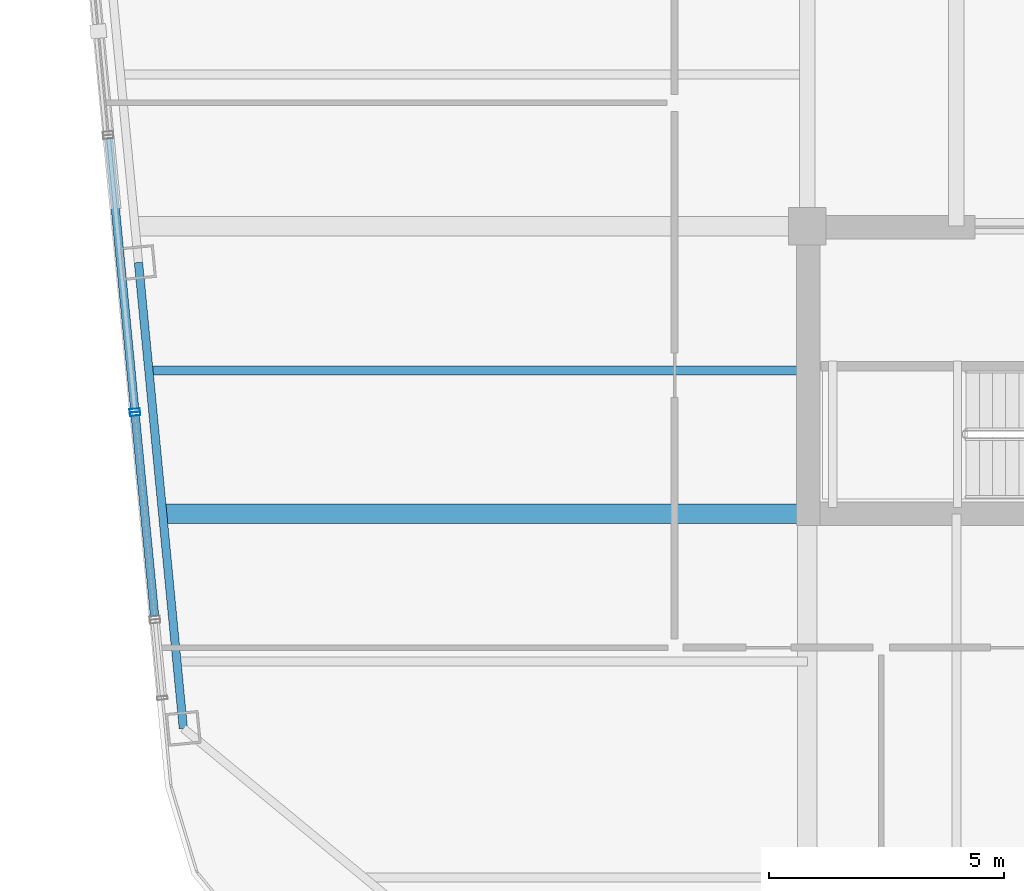
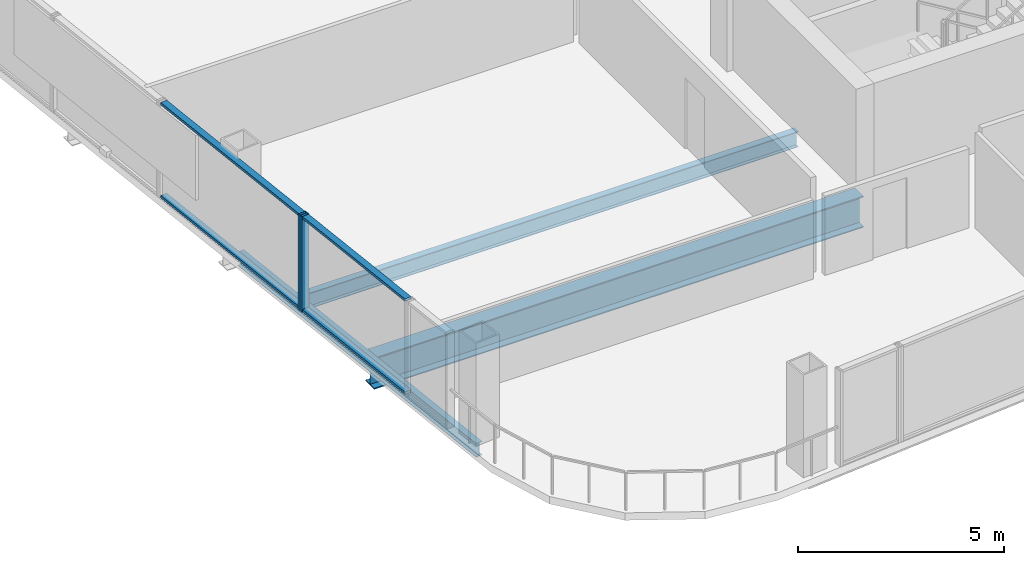
# One storey, part 3 of 22: 6 members, 3 beams, 2 elements without a shape of their own.
"""IFC4 building model written with IfcOpenShell, lengths in metres."""

from ifc_helpers import new_model, si_unit, direction, frame, origin, origin_2d, place, context, subcontext, project, spatial, hollow_rectangle, i_section, extrude, material, layer, layer_set, material_profile, profile_set, type_object, element, aggregate, save


model = new_model("IFC4")

# Units and contexts
model_context = context("Model", 3, precision=1e-05, world=origin(), true_north=direction((0.0, 1.0)))
body_context = subcontext(model_context, "Body", "Model", "MODEL_VIEW")
ifc_project = project(units=[si_unit("LENGTHUNIT", "METRE"), si_unit("AREAUNIT", "SQUARE_METRE"), si_unit("VOLUMEUNIT", "CUBIC_METRE"), si_unit("PLANEANGLEUNIT", "RADIAN"), si_unit("MASSUNIT", "GRAM", prefix="KILO")], contexts=[model_context])

# Site, building, storey
site_placement = place(None, origin())
site = spatial("IfcSite", under=ifc_project, at=site_placement, CompositionType="ELEMENT")
building_placement = place(site_placement, origin())
building = spatial("IfcBuilding", under=site, at=building_placement, Name="Qhalaya Broadcast Tower", CompositionType="ELEMENT")
storey_placement = place(building_placement, frame((0.0, 0.0, 171.39990234375)))
storey = spatial("IfcBuildingStorey", under=building, at=storey_placement, Name="L50", CompositionType="ELEMENT", Elevation=171.39990234375)

# Beams
ifc_material_1 = material(Name="Structural Steel ASTM A992 Grade 50", Category="steel")
ifc_material_profile_1 = material_profile(ifc_material_1, i_section(OverallWidth=0.19189453125, OverallDepth=0.462890625, WebThickness=0.010498046875, FlangeThickness=0.017578125, at=origin_2d()), Name="W18X60")
ifc_profile_set_1 = profile_set([ifc_material_profile_1], Name="Structural Steel ASTM A992 Grade 50")
beam_type_1 = type_object("IfcBeamType", Name="Composite Floor Joist J03", PredefinedType="JOIST", material=ifc_profile_set_1)
beam_1_placement = place(storey_placement, frame((-23.375732421875, -5.699951171875, -0.451416015625), z_axis=(1.0, 0.0, 0.0), x_axis=(0.0, 1.0, 0.0)))
element("IfcBeam", 1, at=beam_1_placement, inside=storey, type_object=beam_type_1, Name="L50 J03 L50-JWE3W-1", PredefinedType="JOIST", context=body_context, shape_type="SweptSolid", body=[
    extrude(i_section(OverallWidth=0.19189453125, OverallDepth=0.462890625, WebThickness=0.010498046875, FlangeThickness=0.017578125, at=origin_2d()), origin(), (0.0, 0.0, 1.0), 14.000732421875),
])
ifc_material_profile_2 = material_profile(ifc_material_1, i_section(OverallWidth=0.4189453125, OverallDepth=0.927001953125, WebThickness=0.019287109375, FlangeThickness=0.031982421875, at=origin_2d()), Name="W36X231")
ifc_profile_set_2 = profile_set([ifc_material_profile_2], Name="Structural Steel ASTM A992 Grade 50")
beam_type_2 = type_object("IfcBeamType", Name="Mid Block Primary Girder PG3", PredefinedType="USERDEFINED", material=ifc_profile_set_2)
beam_2_placement = place(storey_placement, frame((-23.08203125, -8.75, -0.683349609375), z_axis=(1.0, 0.0, 0.0), x_axis=(0.0, 1.0, 0.0)))
element("IfcBeam", 2, at=beam_2_placement, inside=storey, type_object=beam_type_2, Name="L50 PG3 L50-PGYW1-1", ObjectType="GIRDER", PredefinedType="USERDEFINED", context=body_context, shape_type="SweptSolid", body=[
    extrude(i_section(OverallWidth=0.4189453125, OverallDepth=0.927001953125, WebThickness=0.019287109375, FlangeThickness=0.031982421875, at=origin_2d()), origin(), (0.0, 0.0, 1.0), 13.70703125),
])

# Curtain wall, member
ifc_material_2 = material(Name="Fired Architectural Terracotta", Category="masonry")
ifc_layer_1 = layer(ifc_material_2, 0.219970703125, Name="Fired Architectural Terracotta")
ifc_layer_set_1 = layer_set([ifc_layer_1], Name="Fired Architectural Terracotta")
curtain_wall_type_1 = type_object("IfcCurtainWallType", Name="Block-Cap Unitised Terracotta Spandrel Wall CW-07", PredefinedType="NOTDEFINED", material=ifc_layer_set_1)
curtain_wall_1_placement = place(storey_placement, origin())
curtain_wall_1 = element("IfcCurtainWall", 3, at=curtain_wall_1_placement, inside=storey, type_object=curtain_wall_type_1, Name="L50 Unitised Curtain Wall L50-CW-W5", PredefinedType="NOTDEFINED")
ifc_material_3 = material(Name="Anodised Aluminium 6063-T6", Category="aluminium")
ifc_material_profile_3 = material_profile(ifc_material_3, hollow_rectangle(XDim=0.074951171875, YDim=0.219970703125, WallThickness=0.00390625, at=origin_2d()), Name="ALU-MUL 75x220x4")
ifc_profile_set_3 = profile_set([ifc_material_profile_3], Name="Anodised Aluminium 6063-T6")
member_type_1 = type_object("IfcMemberType", Name="Unitised Curtain-Wall Mullion M01", PredefinedType="MULLION", material=ifc_profile_set_3)
member_1_placement = place(storey_placement, frame((-23.69580078125, -6.548828125, 0.0), z_axis=(0.0, 0.0, 1.0), x_axis=(0.095849311193, -0.9953958557, 0.0)))
member_1 = element("IfcMember", 4, at=member_1_placement, type_object=member_type_1, Name="CW-07 mullion 2", PredefinedType="MULLION", context=body_context, shape_type="SweptSolid", body=[
    extrude(hollow_rectangle(XDim=0.074951171875, YDim=0.219970703125, WallThickness=0.00390625, at=origin_2d()), origin(), (0.0, 0.0, 1.0), 2.830078125),
])

ifc_material_4 = material(Name="Solar-Control Low-E Triple Glazing", Category="glass")
ifc_layer_2 = layer(ifc_material_4, 0.219970703125, Name="Solar-Control Low-E Triple Glazing")
ifc_layer_set_2 = layer_set([ifc_layer_2], Name="Solar-Control Low-E Triple Glazing")
curtain_wall_type_2 = type_object("IfcCurtainWallType", Name="Even-Block 4-Storey Double-Module Curtain Wall CW-03", PredefinedType="NOTDEFINED", material=ifc_layer_set_2)
curtain_wall_2_placement = place(storey_placement, origin())
curtain_wall_2 = element("IfcCurtainWall", 5, at=curtain_wall_2_placement, inside=storey, type_object=curtain_wall_type_2, Name="L50 Unitised Curtain Wall L50-CW-W6", PredefinedType="NOTDEFINED")
member_2_placement = place(storey_placement, frame((-23.688720703125, -6.62353515625, 0.0), z_axis=(0.0, 0.0, 1.0), x_axis=(0.095832224028, -0.99539750092, 0.0)))
member_2 = element("IfcMember", 6, at=member_2_placement, type_object=member_type_1, Name="CW-03 mullion 1", PredefinedType="MULLION", context=body_context, shape_type="SweptSolid", body=[
    extrude(hollow_rectangle(XDim=0.074951171875, YDim=0.219970703125, WallThickness=0.00390625, at=origin_2d()), origin(), (0.0, 0.0, 1.0), 2.830078125),
])

# Member
ifc_material_profile_4 = material_profile(ifc_material_3, hollow_rectangle(XDim=0.074951171875, YDim=0.179931640625, WallThickness=0.00390625, at=origin_2d()), Name="ALU-TRN 75x180x4")
ifc_profile_set_4 = profile_set([ifc_material_profile_4], Name="Anodised Aluminium 6063-T6")
member_type_2 = type_object("IfcMemberType", Name="Unitised Curtain-Wall Transom T01", PredefinedType="USERDEFINED", material=ifc_profile_set_4)
member_3_placement = place(storey_placement, frame((-24.25341796875, -0.759033203125, 0.03759765625), z_axis=(0.095855691474, -0.995395241305, 0.0), x_axis=(0.0, 0.0, 1.0)))
member_3 = element("IfcMember", 7, at=member_3_placement, type_object=member_type_2, Name="CW-07 transom 1.1", ObjectType="TRANSOM", PredefinedType="USERDEFINED", context=body_context, shape_type="SweptSolid", body=[
    extrude(hollow_rectangle(XDim=0.074951171875, YDim=0.179931640625, WallThickness=0.00390625, at=origin_2d()), origin(), (0.0, 0.0, 1.0), 5.779052734375),
])

member_4_placement = place(storey_placement, frame((-24.25341796875, -0.759033203125, 2.79248046875), z_axis=(0.095855691474, -0.995395241305, 0.0), x_axis=(0.0, 0.0, 1.0)))
member_4 = element("IfcMember", 8, at=member_4_placement, type_object=member_type_2, Name="CW-07 transom 1.2", ObjectType="TRANSOM", PredefinedType="USERDEFINED", context=body_context, shape_type="SweptSolid", body=[
    extrude(hollow_rectangle(XDim=0.074951171875, YDim=0.179931640625, WallThickness=0.00390625, at=origin_2d()), origin(), (0.0, 0.0, 1.0), 5.779052734375),
])

aggregate(curtain_wall_1, [member_1, member_3, member_4])

member_5_placement = place(storey_placement, frame((-23.68505859375, -6.660888671875, 0.03759765625), z_axis=(0.095849139091, -0.995395872272, 0.0), x_axis=(0.0, 0.0, 1.0)))
member_5 = element("IfcMember", 9, at=member_5_placement, type_object=member_type_2, Name="CW-03 transom 1.1", ObjectType="TRANSOM", PredefinedType="USERDEFINED", context=body_context, shape_type="SweptSolid", body=[
    extrude(hollow_rectangle(XDim=0.074951171875, YDim=0.179931640625, WallThickness=0.00390625, at=origin_2d()), origin(), (0.0, 0.0, 1.0), 4.286865234375),
])

member_6_placement = place(storey_placement, frame((-23.68505859375, -6.660888671875, 2.79248046875), z_axis=(0.095849139091, -0.995395872272, 0.0), x_axis=(0.0, 0.0, 1.0)))
member_6 = element("IfcMember", 10, at=member_6_placement, type_object=member_type_2, Name="CW-03 transom 1.2", ObjectType="TRANSOM", PredefinedType="USERDEFINED", context=body_context, shape_type="SweptSolid", body=[
    extrude(hollow_rectangle(XDim=0.074951171875, YDim=0.179931640625, WallThickness=0.00390625, at=origin_2d()), origin(), (0.0, 0.0, 1.0), 4.286865234375),
])

aggregate(curtain_wall_2, [member_2, member_5, member_6])

# Beam
ifc_material_profile_5 = material_profile(ifc_material_1, i_section(OverallWidth=0.177978515625, OverallDepth=0.406005859375, WebThickness=0.0078125, FlangeThickness=0.0126953125, at=origin_2d()), Name="W16X40")
ifc_profile_set_5 = profile_set([ifc_material_profile_5], Name="Structural Steel ASTM A992 Grade 50")
beam_type_3 = type_object("IfcBeamType", Name="Upper Perimeter Spandrel Beam SP2", PredefinedType="SPANDREL", material=ifc_profile_set_5)
beam_3_placement = place(storey_placement, frame((-23.6171875, -3.399658203125, -0.4228515625), z_axis=(0.09582862993, -0.995397846936, 0.0), x_axis=(0.995397846936, 0.09582862993, 0.0)))
element("IfcBeam", 11, at=beam_3_placement, inside=storey, type_object=beam_type_3, Name="L50 SP2 L50-SPR-15", PredefinedType="SPANDREL", context=body_context, shape_type="SweptSolid", body=[
    extrude(i_section(OverallWidth=0.177978515625, OverallDepth=0.406005859375, WebThickness=0.0078125, FlangeThickness=0.0126953125, at=origin_2d()), origin(), (0.0, 0.0, 1.0), 9.966552734375),
])

save(model, "model.ifc")
